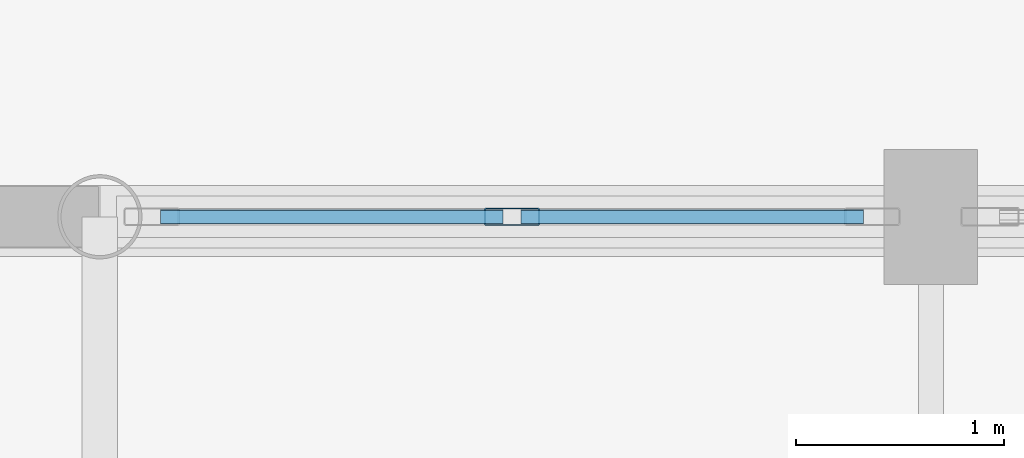
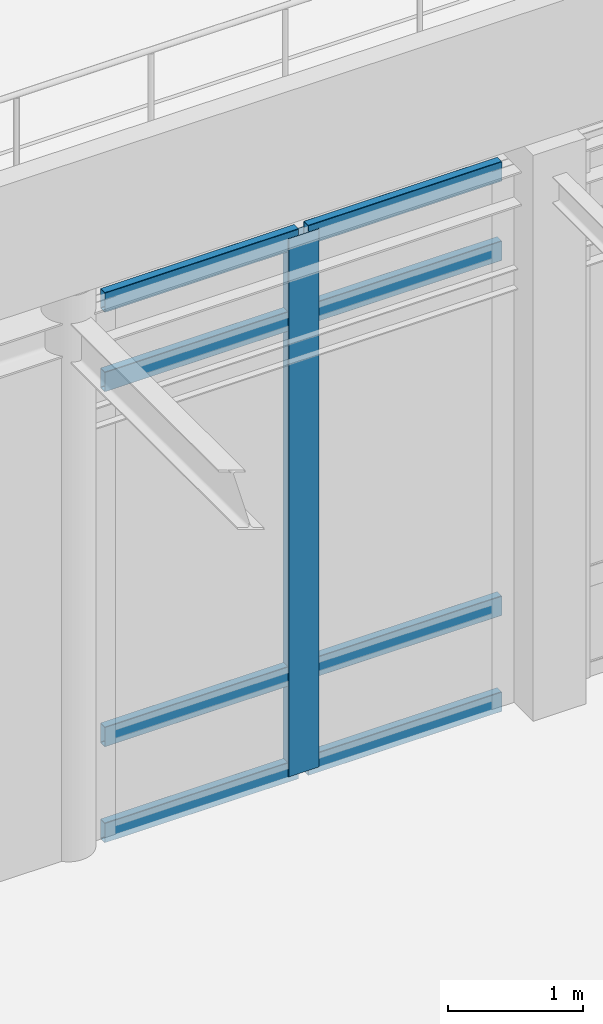
# One storey, part 44 of 113: 9 members, 1 element without a shape of its own.
"""IFC4 building model written with IfcOpenShell, lengths in metres."""

from ifc_helpers import new_model, si_unit, direction, frame, origin, origin_2d, place, context, subcontext, project, spatial, hollow_rectangle, extrude, material, layer, layer_set, material_profile, profile_set, type_object, element, aggregate, save


model = new_model("IFC4")

# Units and contexts
model_context = context("Model", 3, precision=1e-05, world=origin(), true_north=direction((0.0, 1.0)))
body_context = subcontext(model_context, "Body", "Model", "MODEL_VIEW")
ifc_project = project(units=[si_unit("LENGTHUNIT", "METRE"), si_unit("AREAUNIT", "SQUARE_METRE"), si_unit("VOLUMEUNIT", "CUBIC_METRE"), si_unit("PLANEANGLEUNIT", "RADIAN"), si_unit("MASSUNIT", "GRAM", prefix="KILO")], contexts=[model_context])

# Site, building, storey
site_placement = place(None, origin())
site = spatial("IfcSite", under=ifc_project, at=site_placement, CompositionType="ELEMENT")
building_placement = place(site_placement, origin())
building = spatial("IfcBuilding", under=site, at=building_placement, Name="Shalkamar Park Central Library", CompositionType="ELEMENT")
storey_placement = place(building_placement, frame((0.0, 0.0, 5.39990234375)))
storey = spatial("IfcBuildingStorey", under=building, at=storey_placement, Name="L02", CompositionType="ELEMENT", Elevation=5.39990234375)

# Curtain wall, members
ifc_material_1 = material(Name="Thermally broken aluminium and triple low-e curtain wall", Category="aluminium")
ifc_layer = layer(ifc_material_1, 0.264892578125)
ifc_layer_set = layer_set([ifc_layer], Name="UnitisedCurtainWall_26")
curtain_wall_type = type_object("IfcCurtainWallType", Name="Unitised Curtain Wall 26", PredefinedType="USERDEFINED", material=ifc_layer_set)
curtain_wall_placement = place(storey_placement, origin())
curtain_wall = element("IfcCurtainWall", 1, at=curtain_wall_placement, inside=storey, type_object=curtain_wall_type, Name="Unitised Curtain Wall CW-L02-028", ObjectType="UNITISED CURTAIN WALL", PredefinedType="USERDEFINED")
ifc_material_2 = material(Name="Aluminium 6060-T66", Category="aluminium")
ifc_material_profile_1 = material_profile(ifc_material_2, hollow_rectangle(XDim=0.0849609375, YDim=0.264892578125, WallThickness=0.0048828125, InnerFilletRadius=0.0048828125, OuterFilletRadius=0.007568359375, at=origin_2d()), Name="ALU 85x265x5")
ifc_profile_set_1 = profile_set([ifc_material_profile_1], Name="Aluminium 6060-T66")
member_type_1 = type_object("IfcMemberType", Name="Curtain Wall Mullion ALU85x265", PredefinedType="MULLION", material=ifc_profile_set_1)
member_1_placement = place(storey_placement, frame((182.983642578125, 338.0, 0.0), z_axis=(0.0, 0.0, 1.0), x_axis=(0.0, 1.0, 0.0)))
member_1 = element("IfcMember", 2, at=member_1_placement, type_object=member_type_1, Name="CW-26 mullion 2", PredefinedType="MULLION", context=body_context, shape_type="SweptSolid", body=[
    extrude(hollow_rectangle(XDim=0.0849609375, YDim=0.264892578125, WallThickness=0.0048828125, InnerFilletRadius=0.0048828125, OuterFilletRadius=0.007568359375, at=origin_2d()), origin(), (0.0, 0.0, 1.0), 4.85009765625),
])
ifc_material_profile_2 = material_profile(ifc_material_2, hollow_rectangle(XDim=0.070068359375, YDim=0.179931640625, WallThickness=0.00439453125, InnerFilletRadius=0.00439453125, OuterFilletRadius=0.0068359375, at=origin_2d()), Name="ALU 70x180x4.5")
ifc_profile_set_2 = profile_set([ifc_material_profile_2], Name="Aluminium 6060-T66")
member_type_2 = type_object("IfcMemberType", Name="Curtain Wall Transom ALU70x180", PredefinedType="USERDEFINED", material=ifc_profile_set_2)
member_2_placement = place(storey_placement, frame((181.292236328125, 338.0, 0.03515625), z_axis=(1.0, 0.0, 0.0), x_axis=(0.0, 1.0, 0.0)))
member_2 = element("IfcMember", 3, at=member_2_placement, type_object=member_type_2, Name="CW-26 transom 1.1", ObjectType="TRANSOM", PredefinedType="USERDEFINED", context=body_context, shape_type="SweptSolid", body=[
    extrude(hollow_rectangle(XDim=0.070068359375, YDim=0.179931640625, WallThickness=0.00439453125, InnerFilletRadius=0.00439453125, OuterFilletRadius=0.0068359375, at=origin_2d()), origin(), (0.0, 0.0, 1.0), 1.64892578125),
])
member_3_placement = place(storey_placement, frame((181.292236328125, 338.0, 0.900146484375), z_axis=(1.0, 0.0, 0.0), x_axis=(0.0, 1.0, 0.0)))
member_3 = element("IfcMember", 4, at=member_3_placement, type_object=member_type_2, Name="CW-26 transom 1.2", ObjectType="TRANSOM", PredefinedType="USERDEFINED", context=body_context, shape_type="SweptSolid", body=[
    extrude(hollow_rectangle(XDim=0.070068359375, YDim=0.179931640625, WallThickness=0.00439453125, InnerFilletRadius=0.00439453125, OuterFilletRadius=0.0068359375, at=origin_2d()), origin(), (0.0, 0.0, 1.0), 1.64892578125),
])
member_4_placement = place(storey_placement, frame((181.292236328125, 338.0, 4.10009765625), z_axis=(1.0, 0.0, 0.0), x_axis=(0.0, 1.0, 0.0)))
member_4 = element("IfcMember", 5, at=member_4_placement, type_object=member_type_2, Name="CW-26 transom 1.3", ObjectType="TRANSOM", PredefinedType="USERDEFINED", context=body_context, shape_type="SweptSolid", body=[
    extrude(hollow_rectangle(XDim=0.070068359375, YDim=0.179931640625, WallThickness=0.00439453125, InnerFilletRadius=0.00439453125, OuterFilletRadius=0.0068359375, at=origin_2d()), origin(), (0.0, 0.0, 1.0), 1.64892578125),
])
member_5_placement = place(storey_placement, frame((181.292236328125, 338.0, 4.815185546875), z_axis=(1.0, 0.0, 0.0), x_axis=(0.0, 1.0, 0.0)))
member_5 = element("IfcMember", 6, at=member_5_placement, type_object=member_type_2, Name="CW-26 transom 1.4", ObjectType="TRANSOM", PredefinedType="USERDEFINED", context=body_context, shape_type="SweptSolid", body=[
    extrude(hollow_rectangle(XDim=0.070068359375, YDim=0.179931640625, WallThickness=0.00439453125, InnerFilletRadius=0.00439453125, OuterFilletRadius=0.0068359375, at=origin_2d()), origin(), (0.0, 0.0, 1.0), 1.64892578125),
])
member_6_placement = place(storey_placement, frame((183.026123046875, 338.0, 0.03515625), z_axis=(1.0, 0.0, 0.0), x_axis=(0.0, 1.0, 0.0)))
member_6 = element("IfcMember", 7, at=member_6_placement, type_object=member_type_2, Name="CW-26 transom 2.1", ObjectType="TRANSOM", PredefinedType="USERDEFINED", context=body_context, shape_type="SweptSolid", body=[
    extrude(hollow_rectangle(XDim=0.070068359375, YDim=0.179931640625, WallThickness=0.00439453125, InnerFilletRadius=0.00439453125, OuterFilletRadius=0.0068359375, at=origin_2d()), origin(), (0.0, 0.0, 1.0), 1.64892578125),
])
member_7_placement = place(storey_placement, frame((183.026123046875, 338.0, 0.900146484375), z_axis=(1.0, 0.0, 0.0), x_axis=(0.0, 1.0, 0.0)))
member_7 = element("IfcMember", 8, at=member_7_placement, type_object=member_type_2, Name="CW-26 transom 2.2", ObjectType="TRANSOM", PredefinedType="USERDEFINED", context=body_context, shape_type="SweptSolid", body=[
    extrude(hollow_rectangle(XDim=0.070068359375, YDim=0.179931640625, WallThickness=0.00439453125, InnerFilletRadius=0.00439453125, OuterFilletRadius=0.0068359375, at=origin_2d()), origin(), (0.0, 0.0, 1.0), 1.64892578125),
])
member_8_placement = place(storey_placement, frame((183.026123046875, 338.0, 4.10009765625), z_axis=(1.0, 0.0, 0.0), x_axis=(0.0, 1.0, 0.0)))
member_8 = element("IfcMember", 9, at=member_8_placement, type_object=member_type_2, Name="CW-26 transom 2.3", ObjectType="TRANSOM", PredefinedType="USERDEFINED", context=body_context, shape_type="SweptSolid", body=[
    extrude(hollow_rectangle(XDim=0.070068359375, YDim=0.179931640625, WallThickness=0.00439453125, InnerFilletRadius=0.00439453125, OuterFilletRadius=0.0068359375, at=origin_2d()), origin(), (0.0, 0.0, 1.0), 1.64892578125),
])
member_9_placement = place(storey_placement, frame((183.026123046875, 338.0, 4.815185546875), z_axis=(1.0, 0.0, 0.0), x_axis=(0.0, 1.0, 0.0)))
member_9 = element("IfcMember", 10, at=member_9_placement, type_object=member_type_2, Name="CW-26 transom 2.4", ObjectType="TRANSOM", PredefinedType="USERDEFINED", context=body_context, shape_type="SweptSolid", body=[
    extrude(hollow_rectangle(XDim=0.070068359375, YDim=0.179931640625, WallThickness=0.00439453125, InnerFilletRadius=0.00439453125, OuterFilletRadius=0.0068359375, at=origin_2d()), origin(), (0.0, 0.0, 1.0), 1.64892578125),
])
aggregate(curtain_wall, [member_1, member_2, member_3, member_4, member_5, member_6, member_7, member_8, member_9])

save(model, "model.ifc")
